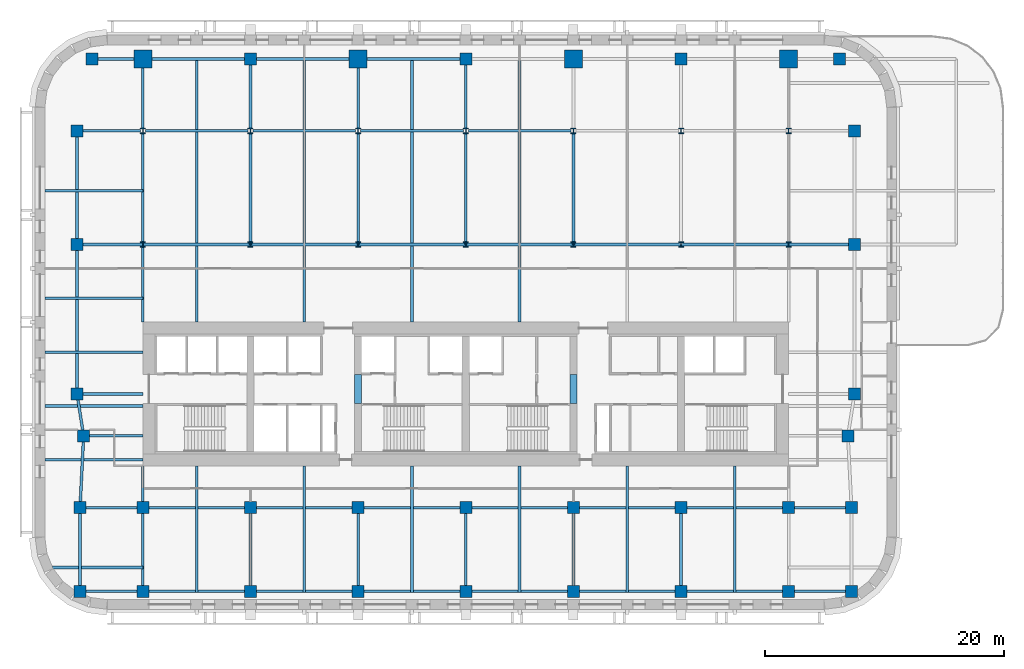
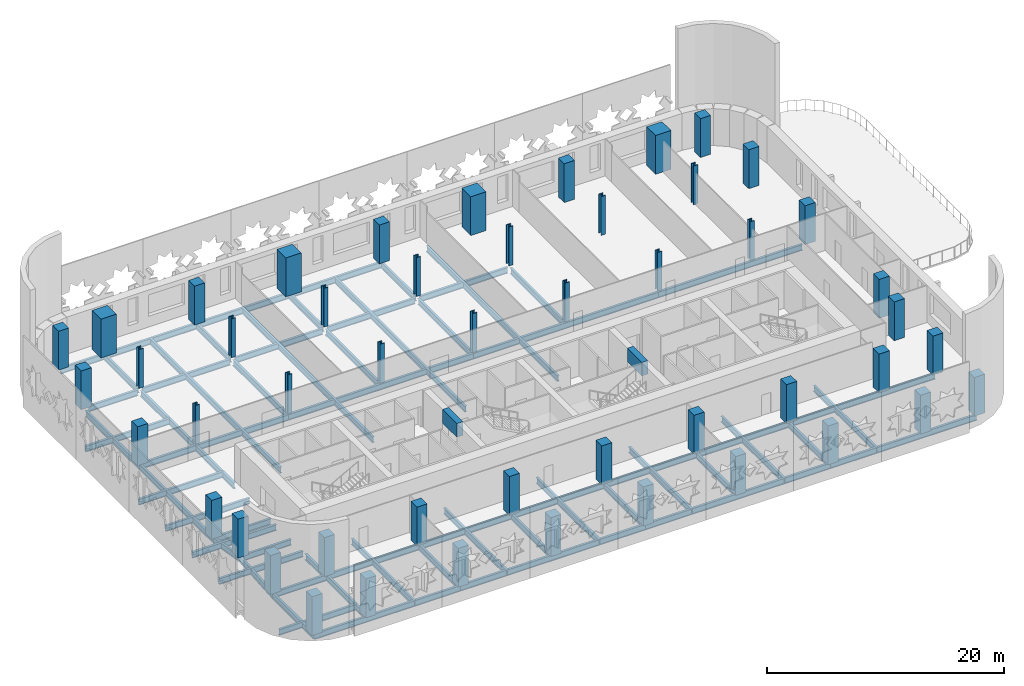
# One storey, part 1 of 11: 59 beams, 49 columns.
"""IFC4 building model written with IfcOpenShell, lengths in metres."""

from ifc_helpers import new_model, si_unit, direction, frame, origin, origin_2d, place, context, subcontext, project, spatial, rectangle, i_section, extrude, material, material_profile, profile_set, type_object, element, save


model = new_model("IFC4")

# Units and contexts
model_context = context("Model", 3, precision=1e-05, world=origin(), true_north=direction((0.0, 1.0)))
body_context = subcontext(model_context, "Body", "Model", "MODEL_VIEW")
ifc_project = project(units=[si_unit("LENGTHUNIT", "METRE"), si_unit("AREAUNIT", "SQUARE_METRE"), si_unit("VOLUMEUNIT", "CUBIC_METRE"), si_unit("PLANEANGLEUNIT", "RADIAN"), si_unit("MASSUNIT", "GRAM", prefix="KILO")], contexts=[model_context])

# Site, building, storey
site_placement = place(None, origin())
site = spatial("IfcSite", under=ifc_project, at=site_placement, CompositionType="ELEMENT")
building_placement = place(site_placement, origin())
building = spatial("IfcBuilding", under=site, at=building_placement, Name="Zellij Exchange Tower", CompositionType="ELEMENT")
storey_placement = place(building_placement, frame((0.0, 0.0, 144.5)))
storey = spatial("IfcBuildingStorey", under=building, at=storey_placement, Name="L32", CompositionType="ELEMENT", Elevation=144.5)

# Columns
ifc_material_1 = material(Name="Concrete C70/85", Category="concrete")
ifc_material_profile_1 = material_profile(ifc_material_1, rectangle(XDim=1.0, YDim=1.0, at=origin_2d()), Name="STR-COLUMN RC1000x1000 C70/85")
ifc_profile_set_1 = profile_set([ifc_material_profile_1], Name="Concrete C70/85")
column_type_1 = type_object("IfcColumnType", Name="STR-COLUMN RC1000x1000 C70/85", PredefinedType="COLUMN", material=ifc_profile_set_1)
for number, where, z_axis, x_axis, name in (
    (1, (-32.25, -24.5, 0.0), (0.0, 0.0, 1.0), (1.0, 0.0, 0.0), "C10"),
    (2, (-27.0, -24.5, 0.0), (0.0, 0.0, 1.0), (1.0, 0.0, 0.0), "C10"),
    (3, (-18.0, -24.5, 0.0), (0.0, 0.0, 1.0), (1.0, 0.0, 0.0), "C10"),
    (4, (-9.0, -24.5, 0.0), (0.0, 0.0, 1.0), (1.0, 0.0, 0.0), "C10"),
    (5, (0.0, -24.5, 0.0), (0.0, 0.0, 1.0), (1.0, 0.0, 0.0), "C10"),
    (6, (9.0, -24.5, 0.0), (0.0, 0.0, 1.0), (1.0, 0.0, 0.0), "C10"),
    (7, (18.0, -24.5, 0.0), (0.0, 0.0, 1.0), (1.0, 0.0, 0.0), "C10"),
    (8, (27.0, -24.5, 0.0), (0.0, 0.0, 1.0), (1.0, 0.0, 0.0), "C10"),
    (9, (32.25, -24.5, 0.0), (0.0, 0.0, 1.0), (1.0, 0.0, 0.0), "C10"),
    (10, (-32.25, -17.5, 0.0), (0.0, 0.0, 1.0), (1.0, 0.0, 0.0), "C10"),
    (11, (-27.0, -17.5, 0.0), (0.0, 0.0, 1.0), (1.0, 0.0, 0.0), "C10"),
    (12, (-18.0, -17.5, 0.0), (0.0, 0.0, 1.0), (1.0, 0.0, 0.0), "C10"),
    (13, (-9.0, -17.5, 0.0), (0.0, 0.0, 1.0), (1.0, 0.0, 0.0), "C10"),
    (14, (0.0, -17.5, 0.0), (0.0, 0.0, 1.0), (1.0, 0.0, 0.0), "C10"),
    (15, (9.0, -17.5, 0.0), (0.0, 0.0, 1.0), (1.0, 0.0, 0.0), "C10"),
    (16, (18.0, -17.5, 0.0), (0.0, 0.0, 1.0), (1.0, 0.0, 0.0), "C10"),
    (17, (27.0, -17.5, 0.0), (0.0, 0.0, 1.0), (1.0, 0.0, 0.0), "C10"),
    (18, (32.25, -17.5, 0.0), (0.0, 0.0, 1.0), (1.0, 0.0, 0.0), "C10"),
    (19, (-31.949951171875, -11.5, 0.0), (0.0, 0.0, 1.0), (1.0, 0.0, 0.0), "C10"),
    (20, (31.949951171875, -11.5, 0.0), (0.0, 0.0, 1.0), (1.0, 0.0, 0.0), "C10"),
    (21, (-32.5, -8.0, 0.0), (0.0, 0.0, 1.0), (1.0, 0.0, 0.0), "C10"),
    (22, (32.5, -8.0, 0.0), (0.0, 0.0, 1.0), (1.0, 0.0, 0.0), "C10"),
    (23, (-32.5, 4.5, 0.0), (0.0, 0.0, 1.0), (1.0, 0.0, 0.0), "C10"),
    (24, (32.5, 4.5, 0.0), (0.0, 0.0, 1.0), (1.0, 0.0, 0.0), "C10"),
    (25, (-32.5, 14.0, 0.0), (0.0, 0.0, 1.0), (1.0, 0.0, 0.0), "C10"),
    (26, (32.5, 14.0, 0.0), (0.0, 0.0, 1.0), (1.0, 0.0, 0.0), "C10"),
    (27, (-31.25, 20.0, 0.0), (0.0, 0.0, 1.0), (1.0, 0.0, 0.0), "C10"),
    (28, (-18.0, 20.0, 0.0), (0.0, 0.0, 1.0), (1.0, 0.0, 0.0), "C10"),
    (29, (0.0, 20.0, 0.0), (0.0, 0.0, 1.0), (1.0, 0.0, 0.0), "C10"),
    (30, (18.0, 20.0, 0.0), (0.0, 0.0, 1.0), (1.0, 0.0, 0.0), "C10"),
    (31, (31.25, 20.0, 0.0), (0.0, 0.0, 1.0), (1.0, 0.0, 0.0), "C10"),
):
    element("IfcColumn", number, at=place(storey_placement, frame(where, z_axis=z_axis, x_axis=x_axis)), inside=storey, type_object=column_type_1, Name=name, PredefinedType="COLUMN", context=body_context, shape_type="SweptSolid", body=[
        extrude(rectangle(XDim=1.0, YDim=1.0, at=origin_2d()), origin(), (0.0, 0.0, 1.0), 4.0),
    ])
ifc_material_2 = material(Name="Structural steel ASTM A913 Gr 65", Category="steel")
ifc_material_profile_2 = material_profile(ifc_material_2, i_section(OverallWidth=0.419189453125, OverallDepth=0.45458984375, WebThickness=0.042236328125, FlangeThickness=0.067626953125, at=origin_2d()), Name="W14x370")
ifc_profile_set_2 = profile_set([ifc_material_profile_2], Name="Structural steel ASTM A913 Gr 65")
column_type_2 = type_object("IfcColumnType", Name="STR-COLUMN W14x370", PredefinedType="COLUMN", material=ifc_profile_set_2)
for number, where, z_axis, x_axis, name in (
    (32, (-27.0, 4.5, 0.0), (0.0, 0.0, 1.0), (1.0, 0.0, 0.0), "C4"),
    (33, (-18.0, 4.5, 0.0), (0.0, 0.0, 1.0), (1.0, 0.0, 0.0), "C4"),
    (34, (-9.0, 4.5, 0.0), (0.0, 0.0, 1.0), (1.0, 0.0, 0.0), "C4"),
    (35, (0.0, 4.5, 0.0), (0.0, 0.0, 1.0), (1.0, 0.0, 0.0), "C4"),
    (36, (9.0, 4.5, 0.0), (0.0, 0.0, 1.0), (1.0, 0.0, 0.0), "C4"),
    (37, (18.0, 4.5, 0.0), (0.0, 0.0, 1.0), (1.0, 0.0, 0.0), "C4"),
    (38, (27.0, 4.5, 0.0), (0.0, 0.0, 1.0), (1.0, 0.0, 0.0), "C4"),
    (39, (-27.0, 14.0, 0.0), (0.0, 0.0, 1.0), (1.0, 0.0, 0.0), "C4"),
    (40, (-18.0, 14.0, 0.0), (0.0, 0.0, 1.0), (1.0, 0.0, 0.0), "C4"),
    (41, (-9.0, 14.0, 0.0), (0.0, 0.0, 1.0), (1.0, 0.0, 0.0), "C4"),
    (42, (0.0, 14.0, 0.0), (0.0, 0.0, 1.0), (1.0, 0.0, 0.0), "C4"),
    (43, (9.0, 14.0, 0.0), (0.0, 0.0, 1.0), (1.0, 0.0, 0.0), "C4"),
    (44, (18.0, 14.0, 0.0), (0.0, 0.0, 1.0), (1.0, 0.0, 0.0), "C4"),
    (45, (27.0, 14.0, 0.0), (0.0, 0.0, 1.0), (1.0, 0.0, 0.0), "C4"),
):
    element("IfcColumn", number, at=place(storey_placement, frame(where, z_axis=z_axis, x_axis=x_axis)), inside=storey, type_object=column_type_2, Name=name, PredefinedType="COLUMN", context=body_context, shape_type="SweptSolid", body=[
        extrude(i_section(OverallWidth=0.419189453125, OverallDepth=0.45458984375, WebThickness=0.042236328125, FlangeThickness=0.067626953125, at=origin_2d()), origin(), (0.0, 0.0, 1.0), 4.0),
    ])
ifc_material_profile_3 = material_profile(ifc_material_1, rectangle(XDim=1.5, YDim=1.5, at=origin_2d()), Name="STR-MEGA COLUMN RC1500x1500 C70/85")
ifc_profile_set_3 = profile_set([ifc_material_profile_3], Name="Concrete C70/85")
column_type_3 = type_object("IfcColumnType", Name="STR-MEGA COLUMN RC1500x1500 C70/85", PredefinedType="COLUMN", material=ifc_profile_set_3)
for number, where, z_axis, x_axis, name in (
    (46, (-27.0, 20.0, 0.0), (0.0, 0.0, 1.0), (1.0, 0.0, 0.0), "MC5"),
    (47, (-9.0, 20.0, 0.0), (0.0, 0.0, 1.0), (1.0, 0.0, 0.0), "MC5"),
    (48, (9.0, 20.0, 0.0), (0.0, 0.0, 1.0), (1.0, 0.0, 0.0), "MC5"),
    (49, (27.0, 20.0, 0.0), (0.0, 0.0, 1.0), (1.0, 0.0, 0.0), "MC5"),
):
    element("IfcColumn", number, at=place(storey_placement, frame(where, z_axis=z_axis, x_axis=x_axis)), inside=storey, type_object=column_type_3, Name=name, PredefinedType="COLUMN", context=body_context, shape_type="SweptSolid", body=[
        extrude(rectangle(XDim=1.5, YDim=1.5, at=origin_2d()), origin(), (0.0, 0.0, 1.0), 4.0),
    ])

# Beams
ifc_material_profile_4 = material_profile(ifc_material_1, rectangle(XDim=0.60009765625, YDim=1.39990234375, at=origin_2d()), Name="CORE-CB 600x1400 C70/85")
ifc_profile_set_4 = profile_set([ifc_material_profile_4], Name="Concrete C70/85")
beam_type_1 = type_object("IfcBeamType", Name="CORE-CB 600x1400 C70/85", PredefinedType="BEAM", material=ifc_profile_set_4)
for number, where, z_axis, x_axis, name in (
    (50, (-9.0, -8.800048828125, 3.10009765625), (0.0, 1.0, 0.0), (-1.0, 0.0, 0.0), "Core coupling beam x -9 L32"),
    (51, (9.0, -8.800048828125, 3.10009765625), (0.0, 1.0, 0.0), (-1.0, 0.0, 0.0), "Core coupling beam x 9 L32"),
):
    element("IfcBeam", number, at=place(storey_placement, frame(where, z_axis=z_axis, x_axis=x_axis)), inside=storey, type_object=beam_type_1, Name=name, PredefinedType="BEAM", context=body_context, shape_type="SweptSolid", body=[
        extrude(rectangle(XDim=0.60009765625, YDim=1.39990234375, at=origin_2d()), origin(), (0.0, 0.0, 1.0), 2.425048828125),
    ])
ifc_material_3 = material(Name="Structural steel ASTM A992 Gr 50", Category="steel")
ifc_material_profile_5 = material_profile(ifc_material_3, i_section(OverallWidth=0.227783203125, OverallDepth=0.60205078125, WebThickness=0.010498046875, FlangeThickness=0.014892578125, at=origin_2d()), Name="W24x68")
ifc_profile_set_5 = profile_set([ifc_material_profile_5], Name="Structural steel ASTM A992 Gr 50")
beam_type_2 = type_object("IfcBeamType", Name="STR-BEAM W24x68", PredefinedType="BEAM", material=ifc_profile_set_5)
beam_1_placement = place(storey_placement, frame((-22.5, -24.614501953125, -0.5009765625), z_axis=(0.0, 1.0, 0.0), x_axis=(-1.0, 0.0, 0.0)))
element("IfcBeam", 52, at=beam_1_placement, inside=storey, type_object=beam_type_2, Name="B5", PredefinedType="BEAM", context=body_context, shape_type="SweptSolid", body=[
    extrude(i_section(OverallWidth=0.227783203125, OverallDepth=0.60205078125, WebThickness=0.010498046875, FlangeThickness=0.014892578125, at=origin_2d()), origin(), (0.0, 0.0, 1.0), 10.614501953125),
])
beam_2_placement = place(storey_placement, frame((-22.5, -2.0, -0.5009765625), z_axis=(0.0, 1.0, 0.0), x_axis=(-1.0, 0.0, 0.0)))
element("IfcBeam", 53, at=beam_2_placement, inside=storey, type_object=beam_type_2, Name="B5", PredefinedType="BEAM", context=body_context, shape_type="SweptSolid", body=[
    extrude(i_section(OverallWidth=0.227783203125, OverallDepth=0.60205078125, WebThickness=0.010498046875, FlangeThickness=0.014892578125, at=origin_2d()), origin(), (0.0, 0.0, 1.0), 22.114501953125),
])
beam_3_placement = place(storey_placement, frame((-13.5, -24.614501953125, -0.5009765625), z_axis=(0.0, 1.0, 0.0), x_axis=(-1.0, 0.0, 0.0)))
element("IfcBeam", 54, at=beam_3_placement, inside=storey, type_object=beam_type_2, Name="B5", PredefinedType="BEAM", context=body_context, shape_type="SweptSolid", body=[
    extrude(i_section(OverallWidth=0.227783203125, OverallDepth=0.60205078125, WebThickness=0.010498046875, FlangeThickness=0.014892578125, at=origin_2d()), origin(), (0.0, 0.0, 1.0), 10.614501953125),
])
beam_4_placement = place(storey_placement, frame((-13.5, -2.0, -0.5009765625), z_axis=(0.0, 1.0, 0.0), x_axis=(-1.0, 0.0, 0.0)))
element("IfcBeam", 55, at=beam_4_placement, inside=storey, type_object=beam_type_2, Name="B5", PredefinedType="BEAM", context=body_context, shape_type="SweptSolid", body=[
    extrude(i_section(OverallWidth=0.227783203125, OverallDepth=0.60205078125, WebThickness=0.010498046875, FlangeThickness=0.014892578125, at=origin_2d()), origin(), (0.0, 0.0, 1.0), 22.114501953125),
])
beam_5_placement = place(storey_placement, frame((-4.5, -24.614501953125, -0.5009765625), z_axis=(0.0, 1.0, 0.0), x_axis=(-1.0, 0.0, 0.0)))
element("IfcBeam", 56, at=beam_5_placement, inside=storey, type_object=beam_type_2, Name="B5", PredefinedType="BEAM", context=body_context, shape_type="SweptSolid", body=[
    extrude(i_section(OverallWidth=0.227783203125, OverallDepth=0.60205078125, WebThickness=0.010498046875, FlangeThickness=0.014892578125, at=origin_2d()), origin(), (0.0, 0.0, 1.0), 10.614501953125),
])
beam_6_placement = place(storey_placement, frame((-4.5, -2.0, -0.5009765625), z_axis=(0.0, 1.0, 0.0), x_axis=(-1.0, 0.0, 0.0)))
element("IfcBeam", 57, at=beam_6_placement, inside=storey, type_object=beam_type_2, Name="B5", PredefinedType="BEAM", context=body_context, shape_type="SweptSolid", body=[
    extrude(i_section(OverallWidth=0.227783203125, OverallDepth=0.60205078125, WebThickness=0.010498046875, FlangeThickness=0.014892578125, at=origin_2d()), origin(), (0.0, 0.0, 1.0), 22.114501953125),
])
beam_7_placement = place(storey_placement, frame((4.5, -24.614501953125, -0.5009765625), z_axis=(0.0, 1.0, 0.0), x_axis=(-1.0, 0.0, 0.0)))
element("IfcBeam", 58, at=beam_7_placement, inside=storey, type_object=beam_type_2, Name="B5", PredefinedType="BEAM", context=body_context, shape_type="SweptSolid", body=[
    extrude(i_section(OverallWidth=0.227783203125, OverallDepth=0.60205078125, WebThickness=0.010498046875, FlangeThickness=0.014892578125, at=origin_2d()), origin(), (0.0, 0.0, 1.0), 10.614501953125),
])
beam_8_placement = place(storey_placement, frame((4.5, -2.0, -0.5009765625), z_axis=(0.0, 1.0, 0.0), x_axis=(-1.0, 0.0, 0.0)))
element("IfcBeam", 59, at=beam_8_placement, inside=storey, type_object=beam_type_2, Name="B5", PredefinedType="BEAM", context=body_context, shape_type="SweptSolid", body=[
    extrude(i_section(OverallWidth=0.227783203125, OverallDepth=0.60205078125, WebThickness=0.010498046875, FlangeThickness=0.014892578125, at=origin_2d()), origin(), (0.0, 0.0, 1.0), 22.114501953125),
])
for number, where, z_axis, x_axis, name in (
    (60, (13.5, -24.614501953125, -0.5009765625), (0.0, 1.0, 0.0), (-1.0, 0.0, 0.0), "B5"),
    (61, (22.5, -24.614501953125, -0.5009765625), (0.0, 1.0, 0.0), (-1.0, 0.0, 0.0), "B5"),
):
    element("IfcBeam", number, at=place(storey_placement, frame(where, z_axis=z_axis, x_axis=x_axis)), inside=storey, type_object=beam_type_2, Name=name, PredefinedType="BEAM", context=body_context, shape_type="SweptSolid", body=[
        extrude(i_section(OverallWidth=0.227783203125, OverallDepth=0.60205078125, WebThickness=0.010498046875, FlangeThickness=0.014892578125, at=origin_2d()), origin(), (0.0, 0.0, 1.0), 10.614501953125),
    ])
beam_9_placement = place(storey_placement, frame((-34.537109375, -22.5, -0.5009765625), z_axis=(1.0, 0.0, 0.0), x_axis=(0.0, 1.0, 0.0)))
element("IfcBeam", 62, at=beam_9_placement, inside=storey, type_object=beam_type_2, Name="B5", PredefinedType="BEAM", context=body_context, shape_type="SweptSolid", body=[
    extrude(i_section(OverallWidth=0.227783203125, OverallDepth=0.60205078125, WebThickness=0.010498046875, FlangeThickness=0.014892578125, at=origin_2d()), origin(), (0.0, 0.0, 1.0), 7.537109375),
])
for number, where, z_axis, x_axis, name in (
    (63, (-35.199951171875, -13.5, -0.5009765625), (1.0, 0.0, 0.0), (0.0, 1.0, 0.0), "B5"),
    (64, (-35.199951171875, -9.0, -0.5009765625), (1.0, 0.0, 0.0), (0.0, 1.0, 0.0), "B5"),
    (65, (-35.199951171875, -4.5, -0.5009765625), (1.0, 0.0, 0.0), (0.0, 1.0, 0.0), "B5"),
    (66, (-35.199951171875, 0.0, -0.5009765625), (1.0, 0.0, 0.0), (0.0, 1.0, 0.0), "B5"),
    (67, (-35.199951171875, 9.0, -0.5009765625), (1.0, 0.0, 0.0), (0.0, 1.0, 0.0), "B5"),
):
    element("IfcBeam", number, at=place(storey_placement, frame(where, z_axis=z_axis, x_axis=x_axis)), inside=storey, type_object=beam_type_2, Name=name, PredefinedType="BEAM", context=body_context, shape_type="SweptSolid", body=[
        extrude(i_section(OverallWidth=0.227783203125, OverallDepth=0.60205078125, WebThickness=0.010498046875, FlangeThickness=0.014892578125, at=origin_2d()), origin(), (0.0, 0.0, 1.0), 8.199951171875),
    ])
ifc_material_profile_6 = material_profile(ifc_material_3, i_section(OverallWidth=0.22900390625, OverallDepth=0.612060546875, WebThickness=0.011962890625, FlangeThickness=0.01953125, at=origin_2d()), Name="W24x84")
ifc_profile_set_6 = profile_set([ifc_material_profile_6], Name="Structural steel ASTM A992 Gr 50")
beam_type_3 = type_object("IfcBeamType", Name="STR-EDGE GIRDER W24x84", PredefinedType="BEAM", material=ifc_profile_set_6)
beam_10_placement = place(storey_placement, frame((-32.25, -24.5, -0.506103515625), z_axis=(0.0, 1.0, 0.0), x_axis=(-1.0, 0.0, 0.0)))
element("IfcBeam", 68, at=beam_10_placement, inside=storey, type_object=beam_type_3, Name="EB6", PredefinedType="BEAM", context=body_context, shape_type="SweptSolid", body=[
    extrude(i_section(OverallWidth=0.22900390625, OverallDepth=0.612060546875, WebThickness=0.011962890625, FlangeThickness=0.01953125, at=origin_2d()), origin(), (0.0, 0.0, 1.0), 7.0),
])
beam_11_placement = place(storey_placement, frame((-32.25, -17.5, -0.506103515625), z_axis=(0.049945724537, 0.998751933465, 0.0), x_axis=(-0.998751933465, 0.049945724537, 0.0)))
element("IfcBeam", 69, at=beam_11_placement, inside=storey, type_object=beam_type_3, Name="EB6", PredefinedType="BEAM", context=body_context, shape_type="SweptSolid", body=[
    extrude(i_section(OverallWidth=0.22900390625, OverallDepth=0.612060546875, WebThickness=0.011962890625, FlangeThickness=0.01953125, at=origin_2d()), origin(), (0.0, 0.0, 1.0), 6.007568359375),
])
beam_12_placement = place(storey_placement, frame((-31.949951171875, -11.5, -0.506103515625), z_axis=(-0.155251283593, 0.987875011802, 0.0), x_axis=(-0.987875011802, -0.155251283593, 0.0)))
element("IfcBeam", 70, at=beam_12_placement, inside=storey, type_object=beam_type_3, Name="EB6", PredefinedType="BEAM", context=body_context, shape_type="SweptSolid", body=[
    extrude(i_section(OverallWidth=0.22900390625, OverallDepth=0.612060546875, WebThickness=0.011962890625, FlangeThickness=0.01953125, at=origin_2d()), origin(), (0.0, 0.0, 1.0), 3.54296875),
])
beam_13_placement = place(storey_placement, frame((-32.5, -8.0, -0.506103515625), z_axis=(0.0, 1.0, 0.0), x_axis=(-1.0, 0.0, 0.0)))
element("IfcBeam", 71, at=beam_13_placement, inside=storey, type_object=beam_type_3, Name="EB6", PredefinedType="BEAM", context=body_context, shape_type="SweptSolid", body=[
    extrude(i_section(OverallWidth=0.22900390625, OverallDepth=0.612060546875, WebThickness=0.011962890625, FlangeThickness=0.01953125, at=origin_2d()), origin(), (0.0, 0.0, 1.0), 12.5),
])
beam_14_placement = place(storey_placement, frame((-32.5, 4.5, -0.506103515625), z_axis=(0.0, 1.0, 0.0), x_axis=(-1.0, 0.0, 0.0)))
element("IfcBeam", 72, at=beam_14_placement, inside=storey, type_object=beam_type_3, Name="EB6", PredefinedType="BEAM", context=body_context, shape_type="SweptSolid", body=[
    extrude(i_section(OverallWidth=0.22900390625, OverallDepth=0.612060546875, WebThickness=0.011962890625, FlangeThickness=0.01953125, at=origin_2d()), origin(), (0.0, 0.0, 1.0), 9.0),
])
ifc_material_profile_7 = material_profile(ifc_material_3, i_section(OverallWidth=0.22900390625, OverallDepth=0.612060546875, WebThickness=0.011962890625, FlangeThickness=0.01953125, at=origin_2d()), Name="W24x84")
ifc_profile_set_7 = profile_set([ifc_material_profile_7], Name="Structural steel ASTM A992 Gr 50")
beam_type_4 = type_object("IfcBeamType", Name="STR-GIRDER W24x84", PredefinedType="BEAM", material=ifc_profile_set_7)
beam_15_placement = place(storey_placement, frame((-32.25, -24.5, -0.506103515625), z_axis=(1.0, 0.0, 0.0), x_axis=(0.0, 1.0, 0.0)))
element("IfcBeam", 73, at=beam_15_placement, inside=storey, type_object=beam_type_4, Name="G4", PredefinedType="BEAM", context=body_context, shape_type="SweptSolid", body=[
    extrude(i_section(OverallWidth=0.22900390625, OverallDepth=0.612060546875, WebThickness=0.011962890625, FlangeThickness=0.01953125, at=origin_2d()), origin(), (0.0, 0.0, 1.0), 14.25),
])
for number, where, z_axis, x_axis, name in (
    (74, (-18.0, -24.5, -0.506103515625), (1.0, 0.0, 0.0), (0.0, 1.0, 0.0), "G4"),
    (75, (0.0, -24.5, -0.506103515625), (1.0, 0.0, 0.0), (0.0, 1.0, 0.0), "G4"),
):
    element("IfcBeam", number, at=place(storey_placement, frame(where, z_axis=z_axis, x_axis=x_axis)), inside=storey, type_object=beam_type_4, Name=name, PredefinedType="BEAM", context=body_context, shape_type="SweptSolid", body=[
        extrude(i_section(OverallWidth=0.22900390625, OverallDepth=0.612060546875, WebThickness=0.011962890625, FlangeThickness=0.01953125, at=origin_2d()), origin(), (0.0, 0.0, 1.0), 18.0),
    ])
for number, where, z_axis, x_axis, name in (
    (76, (18.0, -24.5, -0.506103515625), (1.0, 0.0, 0.0), (0.0, 1.0, 0.0), "G4"),
    (77, (-32.25, -17.5, -0.506103515625), (1.0, 0.0, 0.0), (0.0, 1.0, 0.0), "G4"),
):
    element("IfcBeam", number, at=place(storey_placement, frame(where, z_axis=z_axis, x_axis=x_axis)), inside=storey, type_object=beam_type_4, Name=name, PredefinedType="BEAM", context=body_context, shape_type="SweptSolid", body=[
        extrude(i_section(OverallWidth=0.22900390625, OverallDepth=0.612060546875, WebThickness=0.011962890625, FlangeThickness=0.01953125, at=origin_2d()), origin(), (0.0, 0.0, 1.0), 14.25),
    ])
for number, where, z_axis, x_axis, name in (
    (78, (-18.0, -17.5, -0.506103515625), (1.0, 0.0, 0.0), (0.0, 1.0, 0.0), "G4"),
    (79, (0.0, -17.5, -0.506103515625), (1.0, 0.0, 0.0), (0.0, 1.0, 0.0), "G4"),
):
    element("IfcBeam", number, at=place(storey_placement, frame(where, z_axis=z_axis, x_axis=x_axis)), inside=storey, type_object=beam_type_4, Name=name, PredefinedType="BEAM", context=body_context, shape_type="SweptSolid", body=[
        extrude(i_section(OverallWidth=0.22900390625, OverallDepth=0.612060546875, WebThickness=0.011962890625, FlangeThickness=0.01953125, at=origin_2d()), origin(), (0.0, 0.0, 1.0), 18.0),
    ])
beam_16_placement = place(storey_placement, frame((18.0, -17.5, -0.506103515625), z_axis=(1.0, 0.0, 0.0), x_axis=(0.0, 1.0, 0.0)))
element("IfcBeam", 80, at=beam_16_placement, inside=storey, type_object=beam_type_4, Name="G4", PredefinedType="BEAM", context=body_context, shape_type="SweptSolid", body=[
    extrude(i_section(OverallWidth=0.22900390625, OverallDepth=0.612060546875, WebThickness=0.011962890625, FlangeThickness=0.01953125, at=origin_2d()), origin(), (0.0, 0.0, 1.0), 14.25),
])
beam_17_placement = place(storey_placement, frame((-31.949951171875, -11.5, -0.506103515625), z_axis=(1.0, 0.0, 0.0), x_axis=(0.0, 1.0, 0.0)))
element("IfcBeam", 81, at=beam_17_placement, inside=storey, type_object=beam_type_4, Name="G4", PredefinedType="BEAM", context=body_context, shape_type="SweptSolid", body=[
    extrude(i_section(OverallWidth=0.22900390625, OverallDepth=0.612060546875, WebThickness=0.011962890625, FlangeThickness=0.01953125, at=origin_2d()), origin(), (0.0, 0.0, 1.0), 4.949951171875),
])
beam_18_placement = place(storey_placement, frame((-32.5, -8.0, -0.506103515625), z_axis=(1.0, 0.0, 0.0), x_axis=(0.0, 1.0, 0.0)))
element("IfcBeam", 82, at=beam_18_placement, inside=storey, type_object=beam_type_4, Name="G4", PredefinedType="BEAM", context=body_context, shape_type="SweptSolid", body=[
    extrude(i_section(OverallWidth=0.22900390625, OverallDepth=0.612060546875, WebThickness=0.011962890625, FlangeThickness=0.01953125, at=origin_2d()), origin(), (0.0, 0.0, 1.0), 5.5),
])
beam_19_placement = place(storey_placement, frame((-32.5, 4.5, -0.506103515625), z_axis=(1.0, 0.0, 0.0), x_axis=(0.0, 1.0, 0.0)))
element("IfcBeam", 83, at=beam_19_placement, inside=storey, type_object=beam_type_4, Name="G4", PredefinedType="BEAM", context=body_context, shape_type="SweptSolid", body=[
    extrude(i_section(OverallWidth=0.22900390625, OverallDepth=0.612060546875, WebThickness=0.011962890625, FlangeThickness=0.01953125, at=origin_2d()), origin(), (0.0, 0.0, 1.0), 14.5),
])
for number, where, z_axis, x_axis, name in (
    (84, (-18.0, 4.5, -0.506103515625), (1.0, 0.0, 0.0), (0.0, 1.0, 0.0), "G4"),
    (85, (0.0, 4.5, -0.506103515625), (1.0, 0.0, 0.0), (0.0, 1.0, 0.0), "G4"),
):
    element("IfcBeam", number, at=place(storey_placement, frame(where, z_axis=z_axis, x_axis=x_axis)), inside=storey, type_object=beam_type_4, Name=name, PredefinedType="BEAM", context=body_context, shape_type="SweptSolid", body=[
        extrude(i_section(OverallWidth=0.22900390625, OverallDepth=0.612060546875, WebThickness=0.011962890625, FlangeThickness=0.01953125, at=origin_2d()), origin(), (0.0, 0.0, 1.0), 18.0),
    ])
beam_20_placement = place(storey_placement, frame((18.0, 4.5, -0.506103515625), z_axis=(1.0, 0.0, 0.0), x_axis=(0.0, 1.0, 0.0)))
element("IfcBeam", 86, at=beam_20_placement, inside=storey, type_object=beam_type_4, Name="G4", PredefinedType="BEAM", context=body_context, shape_type="SweptSolid", body=[
    extrude(i_section(OverallWidth=0.22900390625, OverallDepth=0.612060546875, WebThickness=0.011962890625, FlangeThickness=0.01953125, at=origin_2d()), origin(), (0.0, 0.0, 1.0), 14.0),
])
beam_21_placement = place(storey_placement, frame((-32.0, 14.0, -0.506103515625), z_axis=(1.0, 0.0, 0.0), x_axis=(0.0, 1.0, 0.0)))
element("IfcBeam", 87, at=beam_21_placement, inside=storey, type_object=beam_type_4, Name="G4", PredefinedType="BEAM", context=body_context, shape_type="SweptSolid", body=[
    extrude(i_section(OverallWidth=0.22900390625, OverallDepth=0.612060546875, WebThickness=0.011962890625, FlangeThickness=0.01953125, at=origin_2d()), origin(), (0.0, 0.0, 1.0), 4.790283203125),
])
for number, where, z_axis, x_axis, name in (
    (88, (-26.790283203125, 14.0, -0.506103515625), (1.0, 0.0, 0.0), (0.0, 1.0, 0.0), "G4"),
    (89, (-17.790283203125, 14.0, -0.506103515625), (1.0, 0.0, 0.0), (0.0, 1.0, 0.0), "G4"),
):
    element("IfcBeam", number, at=place(storey_placement, frame(where, z_axis=z_axis, x_axis=x_axis)), inside=storey, type_object=beam_type_4, Name=name, PredefinedType="BEAM", context=body_context, shape_type="SweptSolid", body=[
        extrude(i_section(OverallWidth=0.22900390625, OverallDepth=0.612060546875, WebThickness=0.011962890625, FlangeThickness=0.01953125, at=origin_2d()), origin(), (0.0, 0.0, 1.0), 8.58056640625),
    ])
for number, where, z_axis, x_axis, name in (
    (90, (-8.790283203125, 14.0, -0.506103515625), (1.0, 0.0, 0.0), (0.0, 1.0, 0.0), "G4"),
    (91, (0.20947265625, 14.0, -0.506103515625), (1.0, 0.0, 0.0), (0.0, 1.0, 0.0), "G4"),
):
    element("IfcBeam", number, at=place(storey_placement, frame(where, z_axis=z_axis, x_axis=x_axis)), inside=storey, type_object=beam_type_4, Name=name, PredefinedType="BEAM", context=body_context, shape_type="SweptSolid", body=[
        extrude(i_section(OverallWidth=0.22900390625, OverallDepth=0.612060546875, WebThickness=0.011962890625, FlangeThickness=0.01953125, at=origin_2d()), origin(), (0.0, 0.0, 1.0), 8.580810546875),
    ])
beam_22_placement = place(storey_placement, frame((-31.25, 20.0, -0.506103515625), z_axis=(1.0, 0.0, 0.0), x_axis=(0.0, 1.0, 0.0)))
element("IfcBeam", 92, at=beam_22_placement, inside=storey, type_object=beam_type_4, Name="G4", PredefinedType="BEAM", context=body_context, shape_type="SweptSolid", body=[
    extrude(i_section(OverallWidth=0.22900390625, OverallDepth=0.612060546875, WebThickness=0.011962890625, FlangeThickness=0.01953125, at=origin_2d()), origin(), (0.0, 0.0, 1.0), 13.25),
])
beam_23_placement = place(storey_placement, frame((-18.0, 20.0, -0.506103515625), z_axis=(1.0, 0.0, 0.0), x_axis=(0.0, 1.0, 0.0)))
element("IfcBeam", 93, at=beam_23_placement, inside=storey, type_object=beam_type_4, Name="G4", PredefinedType="BEAM", context=body_context, shape_type="SweptSolid", body=[
    extrude(i_section(OverallWidth=0.22900390625, OverallDepth=0.612060546875, WebThickness=0.011962890625, FlangeThickness=0.01953125, at=origin_2d()), origin(), (0.0, 0.0, 1.0), 18.0),
])
beam_24_placement = place(storey_placement, frame((-27.0, -24.5, -0.506103515625), z_axis=(0.0, 1.0, 0.0), x_axis=(-1.0, 0.0, 0.0)))
element("IfcBeam", 94, at=beam_24_placement, inside=storey, type_object=beam_type_4, Name="G4", PredefinedType="BEAM", context=body_context, shape_type="SweptSolid", body=[
    extrude(i_section(OverallWidth=0.22900390625, OverallDepth=0.612060546875, WebThickness=0.011962890625, FlangeThickness=0.01953125, at=origin_2d()), origin(), (0.0, 0.0, 1.0), 10.5),
])
beam_25_placement = place(storey_placement, frame((-27.0, -2.0, -0.506103515625), z_axis=(0.0, 1.0, 0.0), x_axis=(-1.0, 0.0, 0.0)))
element("IfcBeam", 95, at=beam_25_placement, inside=storey, type_object=beam_type_4, Name="G4", PredefinedType="BEAM", context=body_context, shape_type="SweptSolid", body=[
    extrude(i_section(OverallWidth=0.22900390625, OverallDepth=0.612060546875, WebThickness=0.011962890625, FlangeThickness=0.01953125, at=origin_2d()), origin(), (0.0, 0.0, 1.0), 15.772705078125),
])
beam_26_placement = place(storey_placement, frame((-27.0, 14.227294921875, -0.506103515625), z_axis=(0.0, 1.0, 0.0), x_axis=(-1.0, 0.0, 0.0)))
element("IfcBeam", 96, at=beam_26_placement, inside=storey, type_object=beam_type_4, Name="G4", PredefinedType="BEAM", context=body_context, shape_type="SweptSolid", body=[
    extrude(i_section(OverallWidth=0.22900390625, OverallDepth=0.612060546875, WebThickness=0.011962890625, FlangeThickness=0.01953125, at=origin_2d()), origin(), (0.0, 0.0, 1.0), 5.772705078125),
])
beam_27_placement = place(storey_placement, frame((-18.0, -24.5, -0.506103515625), z_axis=(0.0, 1.0, 0.0), x_axis=(-1.0, 0.0, 0.0)))
element("IfcBeam", 97, at=beam_27_placement, inside=storey, type_object=beam_type_4, Name="G4", PredefinedType="BEAM", context=body_context, shape_type="SweptSolid", body=[
    extrude(i_section(OverallWidth=0.22900390625, OverallDepth=0.612060546875, WebThickness=0.011962890625, FlangeThickness=0.01953125, at=origin_2d()), origin(), (0.0, 0.0, 1.0), 7.0),
])
beam_28_placement = place(storey_placement, frame((-18.0, 4.5, -0.506103515625), z_axis=(0.0, 1.0, 0.0), x_axis=(-1.0, 0.0, 0.0)))
element("IfcBeam", 98, at=beam_28_placement, inside=storey, type_object=beam_type_4, Name="G4", PredefinedType="BEAM", context=body_context, shape_type="SweptSolid", body=[
    extrude(i_section(OverallWidth=0.22900390625, OverallDepth=0.612060546875, WebThickness=0.011962890625, FlangeThickness=0.01953125, at=origin_2d()), origin(), (0.0, 0.0, 1.0), 9.272705078125),
])
beam_29_placement = place(storey_placement, frame((-18.0, 14.227294921875, -0.506103515625), z_axis=(0.0, 1.0, 0.0), x_axis=(-1.0, 0.0, 0.0)))
element("IfcBeam", 99, at=beam_29_placement, inside=storey, type_object=beam_type_4, Name="G4", PredefinedType="BEAM", context=body_context, shape_type="SweptSolid", body=[
    extrude(i_section(OverallWidth=0.22900390625, OverallDepth=0.612060546875, WebThickness=0.011962890625, FlangeThickness=0.01953125, at=origin_2d()), origin(), (0.0, 0.0, 1.0), 5.772705078125),
])
beam_30_placement = place(storey_placement, frame((-9.0, -24.5, -0.506103515625), z_axis=(0.0, 1.0, 0.0), x_axis=(-1.0, 0.0, 0.0)))
element("IfcBeam", 100, at=beam_30_placement, inside=storey, type_object=beam_type_4, Name="G4", PredefinedType="BEAM", context=body_context, shape_type="SweptSolid", body=[
    extrude(i_section(OverallWidth=0.22900390625, OverallDepth=0.612060546875, WebThickness=0.011962890625, FlangeThickness=0.01953125, at=origin_2d()), origin(), (0.0, 0.0, 1.0), 7.0),
])
beam_31_placement = place(storey_placement, frame((-9.0, 4.5, -0.506103515625), z_axis=(0.0, 1.0, 0.0), x_axis=(-1.0, 0.0, 0.0)))
element("IfcBeam", 101, at=beam_31_placement, inside=storey, type_object=beam_type_4, Name="G4", PredefinedType="BEAM", context=body_context, shape_type="SweptSolid", body=[
    extrude(i_section(OverallWidth=0.22900390625, OverallDepth=0.612060546875, WebThickness=0.011962890625, FlangeThickness=0.01953125, at=origin_2d()), origin(), (0.0, 0.0, 1.0), 9.272705078125),
])
beam_32_placement = place(storey_placement, frame((-9.0, 14.227294921875, -0.506103515625), z_axis=(0.0, 1.0, 0.0), x_axis=(-1.0, 0.0, 0.0)))
element("IfcBeam", 102, at=beam_32_placement, inside=storey, type_object=beam_type_4, Name="G4", PredefinedType="BEAM", context=body_context, shape_type="SweptSolid", body=[
    extrude(i_section(OverallWidth=0.22900390625, OverallDepth=0.612060546875, WebThickness=0.011962890625, FlangeThickness=0.01953125, at=origin_2d()), origin(), (0.0, 0.0, 1.0), 5.772705078125),
])
beam_33_placement = place(storey_placement, frame((0.0, -24.5, -0.506103515625), z_axis=(0.0, 1.0, 0.0), x_axis=(-1.0, 0.0, 0.0)))
element("IfcBeam", 103, at=beam_33_placement, inside=storey, type_object=beam_type_4, Name="G4", PredefinedType="BEAM", context=body_context, shape_type="SweptSolid", body=[
    extrude(i_section(OverallWidth=0.22900390625, OverallDepth=0.612060546875, WebThickness=0.011962890625, FlangeThickness=0.01953125, at=origin_2d()), origin(), (0.0, 0.0, 1.0), 7.0),
])
beam_34_placement = place(storey_placement, frame((0.0, 4.5, -0.506103515625), z_axis=(0.0, 1.0, 0.0), x_axis=(-1.0, 0.0, 0.0)))
element("IfcBeam", 104, at=beam_34_placement, inside=storey, type_object=beam_type_4, Name="G4", PredefinedType="BEAM", context=body_context, shape_type="SweptSolid", body=[
    extrude(i_section(OverallWidth=0.22900390625, OverallDepth=0.612060546875, WebThickness=0.011962890625, FlangeThickness=0.01953125, at=origin_2d()), origin(), (0.0, 0.0, 1.0), 9.272705078125),
])
beam_35_placement = place(storey_placement, frame((0.0, 14.227294921875, -0.506103515625), z_axis=(0.0, 1.0, 0.0), x_axis=(-1.0, 0.0, 0.0)))
element("IfcBeam", 105, at=beam_35_placement, inside=storey, type_object=beam_type_4, Name="G4", PredefinedType="BEAM", context=body_context, shape_type="SweptSolid", body=[
    extrude(i_section(OverallWidth=0.22900390625, OverallDepth=0.612060546875, WebThickness=0.011962890625, FlangeThickness=0.01953125, at=origin_2d()), origin(), (0.0, 0.0, 1.0), 5.772705078125),
])
beam_36_placement = place(storey_placement, frame((9.0, -24.5, -0.506103515625), z_axis=(0.0, 1.0, 0.0), x_axis=(-1.0, 0.0, 0.0)))
element("IfcBeam", 106, at=beam_36_placement, inside=storey, type_object=beam_type_4, Name="G4", PredefinedType="BEAM", context=body_context, shape_type="SweptSolid", body=[
    extrude(i_section(OverallWidth=0.22900390625, OverallDepth=0.612060546875, WebThickness=0.011962890625, FlangeThickness=0.01953125, at=origin_2d()), origin(), (0.0, 0.0, 1.0), 7.0),
])
beam_37_placement = place(storey_placement, frame((9.0, 4.5, -0.506103515625), z_axis=(0.0, 1.0, 0.0), x_axis=(-1.0, 0.0, 0.0)))
element("IfcBeam", 107, at=beam_37_placement, inside=storey, type_object=beam_type_4, Name="G4", PredefinedType="BEAM", context=body_context, shape_type="SweptSolid", body=[
    extrude(i_section(OverallWidth=0.22900390625, OverallDepth=0.612060546875, WebThickness=0.011962890625, FlangeThickness=0.01953125, at=origin_2d()), origin(), (0.0, 0.0, 1.0), 9.272705078125),
])
beam_38_placement = place(storey_placement, frame((18.0, -24.5, -0.506103515625), z_axis=(0.0, 1.0, 0.0), x_axis=(-1.0, 0.0, 0.0)))
element("IfcBeam", 108, at=beam_38_placement, inside=storey, type_object=beam_type_4, Name="G4", PredefinedType="BEAM", context=body_context, shape_type="SweptSolid", body=[
    extrude(i_section(OverallWidth=0.22900390625, OverallDepth=0.612060546875, WebThickness=0.011962890625, FlangeThickness=0.01953125, at=origin_2d()), origin(), (0.0, 0.0, 1.0), 7.0),
])

save(model, "model.ifc")
